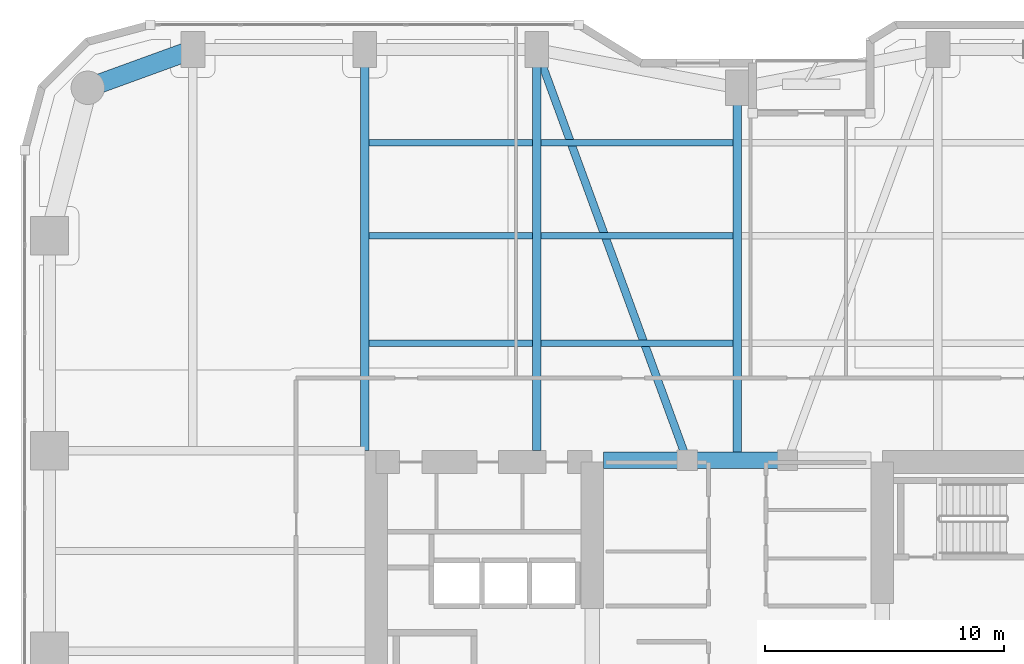
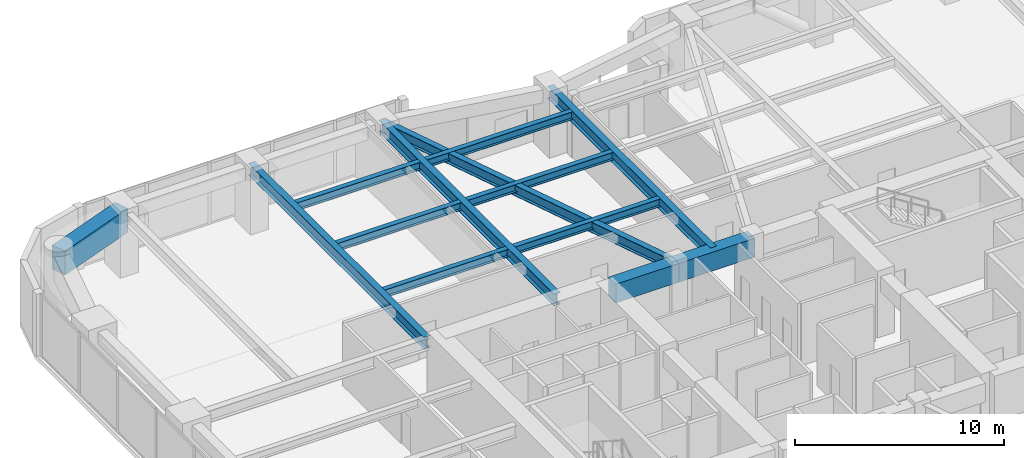
# One storey, part 15 of 28: 13 beams.
"""IFC4 building model written with IfcOpenShell, lengths in metres."""

from ifc_helpers import new_model, si_unit, direction, frame, origin, origin_2d, place, context, subcontext, project, spatial, rectangle, i_section, extrude, material, material_profile, profile_set, type_object, element, save


model = new_model("IFC4")

# Units and contexts
model_context = context("Model", 3, precision=1e-05, world=origin(), true_north=direction((0.0, 1.0)))
body_context = subcontext(model_context, "Body", "Model", "MODEL_VIEW")
ifc_project = project(units=[si_unit("LENGTHUNIT", "METRE"), si_unit("AREAUNIT", "SQUARE_METRE"), si_unit("VOLUMEUNIT", "CUBIC_METRE"), si_unit("PLANEANGLEUNIT", "RADIAN"), si_unit("MASSUNIT", "GRAM", prefix="KILO")], contexts=[model_context])

# Site, building, storey
site_placement = place(None, origin())
site = spatial("IfcSite", under=ifc_project, at=site_placement, CompositionType="ELEMENT")
building_placement = place(site_placement, origin())
building = spatial("IfcBuilding", under=site, at=building_placement, Name="Kiyonajd Concourse Tower", CompositionType="ELEMENT")
storey_placement = place(building_placement, frame((0.0, 0.0, 60.60009765625)))
storey = spatial("IfcBuildingStorey", under=building, at=storey_placement, Name="L16", CompositionType="ELEMENT", Elevation=60.60009765625)

# Beams
ifc_material_1 = material(Name="Concrete C70/85", Category="concrete")
ifc_material_profile_1 = material_profile(ifc_material_1, rectangle(XDim=0.699951171875, YDim=1.10009765625, at=origin_2d()), Name="RCBM-700x1100")
ifc_profile_set_1 = profile_set([ifc_material_profile_1], Name="Concrete C70/85")
beam_type_1 = type_object("IfcBeamType", Name="BM-COUP-1100", PredefinedType="LINTEL", material=ifc_profile_set_1)
beam_1_placement = place(storey_placement, frame((42.39990234375, 44.0, 3.08984375), z_axis=(1.0, 0.0, 0.0), x_axis=(0.0, 1.0, 0.0)))
element("IfcBeam", 1, at=beam_1_placement, inside=storey, type_object=beam_type_1, Name="L16 Core Coupling Beam N1", PredefinedType="LINTEL", context=body_context, shape_type="SweptSolid", body=[
    extrude(rectangle(XDim=0.699951171875, YDim=1.10009765625, at=origin_2d()), origin(), (0.0, 0.0, 1.0), 3.5),
])
beam_2_placement = place(storey_placement, frame((45.89990234375, 44.0, 3.08984375), z_axis=(1.0, 0.0, 0.0), x_axis=(0.0, 1.0, 0.0)))
element("IfcBeam", 2, at=beam_2_placement, inside=storey, type_object=beam_type_1, Name="L16 Core Coupling Beam N2", PredefinedType="LINTEL", context=body_context, shape_type="SweptSolid", body=[
    extrude(rectangle(XDim=0.699951171875, YDim=1.10009765625, at=origin_2d()), origin(), (0.0, 0.0, 1.0), 4.2001953125),
])
ifc_material_2 = material(Name="Steel ASTM A992 Grade 50", Category="steel")
ifc_material_profile_2 = material_profile(ifc_material_2, i_section(OverallWidth=0.280029296875, OverallDepth=0.462890625, WebThickness=0.0107421875, FlangeThickness=0.017333984375, at=origin_2d()), Name="W460X113")
ifc_profile_set_2 = profile_set([ifc_material_profile_2], Name="Steel ASTM A992 Grade 50")
beam_type_2 = type_object("IfcBeamType", Name="BM-JST-460A", PredefinedType="JOIST", material=ifc_profile_set_2)
beam_3_placement = place(storey_placement, frame((32.577392578125, 48.89990234375, 3.408447265625), z_axis=(1.0, 0.0, 0.0), x_axis=(0.0, 1.0, 0.0)))
element("IfcBeam", 3, at=beam_3_placement, inside=storey, type_object=beam_type_2, Name="L16 Secondary Floor Joist", PredefinedType="JOIST", context=body_context, shape_type="SweptSolid", body=[
    extrude(i_section(OverallWidth=0.280029296875, OverallDepth=0.462890625, WebThickness=0.0107421875, FlangeThickness=0.017333984375, at=origin_2d()), origin(), (0.0, 0.0, 1.0), 6.84521484375),
])
beam_4_placement = place(storey_placement, frame((39.777587890625, 48.89990234375, 3.408447265625), z_axis=(1.0, 0.0, 0.0), x_axis=(0.0, 1.0, 0.0)))
element("IfcBeam", 4, at=beam_4_placement, inside=storey, type_object=beam_type_2, Name="L16 Secondary Floor Joist", PredefinedType="JOIST", context=body_context, shape_type="SweptSolid", body=[
    extrude(i_section(OverallWidth=0.280029296875, OverallDepth=0.462890625, WebThickness=0.0107421875, FlangeThickness=0.017333984375, at=origin_2d()), origin(), (0.0, 0.0, 1.0), 8.044921875),
])
beam_5_placement = place(storey_placement, frame((32.577392578125, 53.39990234375, 3.408447265625), z_axis=(1.0, 0.0, 0.0), x_axis=(0.0, 1.0, 0.0)))
element("IfcBeam", 5, at=beam_5_placement, inside=storey, type_object=beam_type_2, Name="L16 Secondary Floor Joist", PredefinedType="JOIST", context=body_context, shape_type="SweptSolid", body=[
    extrude(i_section(OverallWidth=0.280029296875, OverallDepth=0.462890625, WebThickness=0.0107421875, FlangeThickness=0.017333984375, at=origin_2d()), origin(), (0.0, 0.0, 1.0), 6.84521484375),
])
beam_6_placement = place(storey_placement, frame((39.777587890625, 53.39990234375, 3.408447265625), z_axis=(1.0, 0.0, 0.0), x_axis=(0.0, 1.0, 0.0)))
element("IfcBeam", 6, at=beam_6_placement, inside=storey, type_object=beam_type_2, Name="L16 Secondary Floor Joist", PredefinedType="JOIST", context=body_context, shape_type="SweptSolid", body=[
    extrude(i_section(OverallWidth=0.280029296875, OverallDepth=0.462890625, WebThickness=0.0107421875, FlangeThickness=0.017333984375, at=origin_2d()), origin(), (0.0, 0.0, 1.0), 8.044921875),
])
beam_7_placement = place(storey_placement, frame((32.577392578125, 57.300048828125, 3.408447265625), z_axis=(1.0, 0.0, 0.0), x_axis=(0.0, 1.0, 0.0)))
element("IfcBeam", 7, at=beam_7_placement, inside=storey, type_object=beam_type_2, Name="L16 Secondary Floor Joist", PredefinedType="JOIST", context=body_context, shape_type="SweptSolid", body=[
    extrude(i_section(OverallWidth=0.280029296875, OverallDepth=0.462890625, WebThickness=0.0107421875, FlangeThickness=0.017333984375, at=origin_2d()), origin(), (0.0, 0.0, 1.0), 6.84521484375),
])
beam_8_placement = place(storey_placement, frame((39.777587890625, 57.300048828125, 3.408447265625), z_axis=(1.0, 0.0, 0.0), x_axis=(0.0, 1.0, 0.0)))
element("IfcBeam", 8, at=beam_8_placement, inside=storey, type_object=beam_type_2, Name="L16 Secondary Floor Joist", PredefinedType="JOIST", context=body_context, shape_type="SweptSolid", body=[
    extrude(i_section(OverallWidth=0.280029296875, OverallDepth=0.462890625, WebThickness=0.0107421875, FlangeThickness=0.017333984375, at=origin_2d()), origin(), (0.0, 0.0, 1.0), 8.044921875),
])
ifc_material_profile_3 = material_profile(ifc_material_2, i_section(OverallWidth=0.326904296875, OverallDepth=0.6220703125, WebThickness=0.015380859375, FlangeThickness=0.0244140625, at=origin_2d()), Name="W610X195")
ifc_profile_set_3 = profile_set([ifc_material_profile_3], Name="Steel ASTM A992 Grade 50")
beam_type_3 = type_object("IfcBeamType", Name="BM-TWR-610A", PredefinedType="BEAM", material=ifc_profile_set_3)
beam_9_placement = place(storey_placement, frame((39.60009765625, 61.199951171875, 3.328857421875), z_axis=(0.343925269715, -0.938997022813, 0.0), x_axis=(0.938997022813, 0.343925269715, 0.0)))
element("IfcBeam", 9, at=beam_9_placement, inside=storey, type_object=beam_type_3, Name="L16 Core Tie Girder", PredefinedType="BEAM", context=body_context, shape_type="SweptSolid", body=[
    extrude(i_section(OverallWidth=0.326904296875, OverallDepth=0.6220703125, WebThickness=0.015380859375, FlangeThickness=0.0244140625, at=origin_2d()), origin(), (0.0, 0.0, 1.0), 18.3173828125),
])
ifc_material_profile_4 = material_profile(ifc_material_2, i_section(OverallWidth=0.35498046875, OverallDepth=0.695068359375, WebThickness=0.015380859375, FlangeThickness=0.02490234375, at=origin_2d()), Name="W690X217")
ifc_profile_set_4 = profile_set([ifc_material_profile_4], Name="Steel ASTM A992 Grade 50")
beam_type_4 = type_object("IfcBeamType", Name="BM-TWR-690", PredefinedType="BEAM", material=ifc_profile_set_4)
for number, where, z_axis, x_axis, name in (
    (10, (32.39990234375, 44.39990234375, 3.29248046875), (0.0, 1.0, 0.0), (-1.0, 0.0, 0.0), "L16 North Lease Girder"),
    (11, (39.60009765625, 44.39990234375, 3.29248046875), (0.0, 1.0, 0.0), (-1.0, 0.0, 0.0), "L16 North Lease Girder"),
):
    element("IfcBeam", number, at=place(storey_placement, frame(where, z_axis=z_axis, x_axis=x_axis)), inside=storey, type_object=beam_type_4, Name=name, PredefinedType="BEAM", context=body_context, shape_type="SweptSolid", body=[
        extrude(i_section(OverallWidth=0.35498046875, OverallDepth=0.695068359375, WebThickness=0.015380859375, FlangeThickness=0.02490234375, at=origin_2d()), origin(), (0.0, 0.0, 1.0), 16.800048828125),
    ])
beam_10_placement = place(storey_placement, frame((48.0, 44.0, 3.29248046875), z_axis=(0.0, 1.0, 0.0), x_axis=(-1.0, 0.0, 0.0)))
element("IfcBeam", 12, at=beam_10_placement, inside=storey, type_object=beam_type_4, Name="L16 North Ribbon Girder", PredefinedType="BEAM", context=body_context, shape_type="SweptSolid", body=[
    extrude(i_section(OverallWidth=0.35498046875, OverallDepth=0.695068359375, WebThickness=0.015380859375, FlangeThickness=0.02490234375, at=origin_2d()), origin(), (0.0, 0.0, 1.0), 15.60009765625),
])
ifc_material_3 = material(Name="Concrete C60/75", Category="concrete")
ifc_material_profile_5 = material_profile(ifc_material_3, rectangle(XDim=0.800048828125, YDim=1.39990234375, at=origin_2d()), Name="RCBM-800x1400")
ifc_profile_set_5 = profile_set([ifc_material_profile_5], Name="Concrete C60/75")
beam_type_5 = type_object("IfcBeamType", Name="BM-XFER-RC", PredefinedType="BEAM", material=ifc_profile_set_5)
beam_11_placement = place(storey_placement, frame((25.199951171875, 61.199951171875, 2.93994140625), z_axis=(-0.939801036019, -0.341722127901, 0.0), x_axis=(0.341722127901, -0.939801036019, 0.0)))
element("IfcBeam", 13, at=beam_11_placement, inside=storey, type_object=beam_type_5, Name="L16 Perimeter Bundled Tube Spandrel", PredefinedType="BEAM", context=body_context, shape_type="SweptSolid", body=[
    extrude(rectangle(XDim=0.800048828125, YDim=1.39990234375, at=origin_2d()), origin(), (0.0, 0.0, 1.0), 4.681640625),
])

save(model, "model.ifc")
